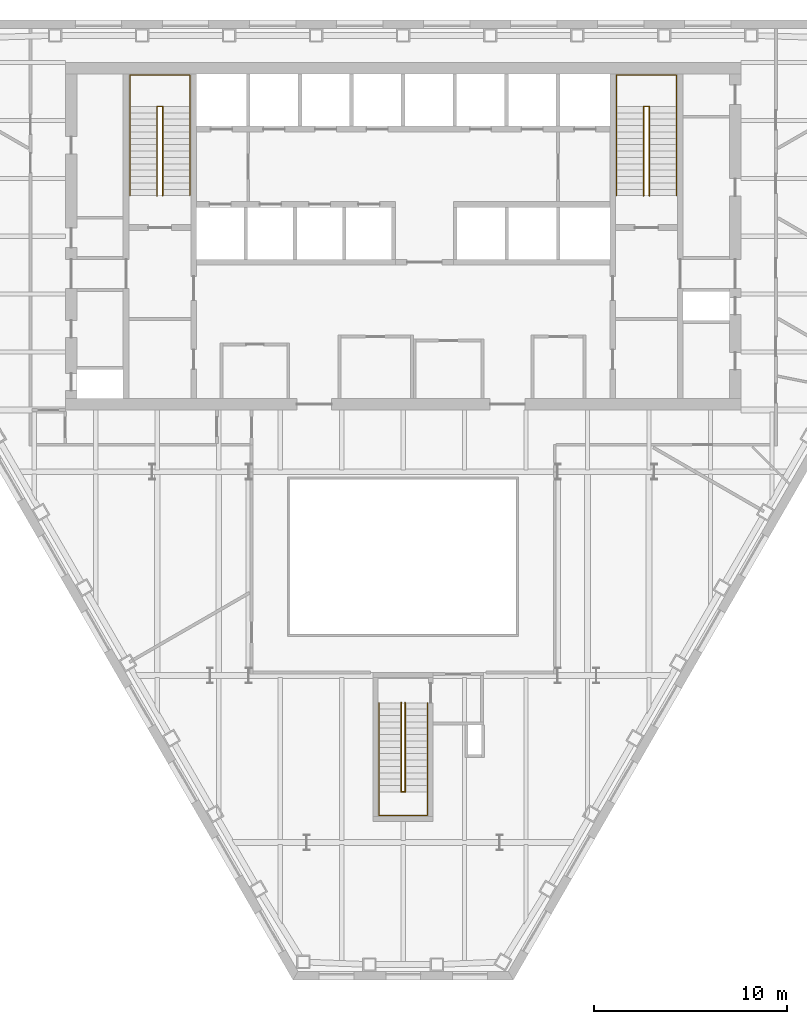
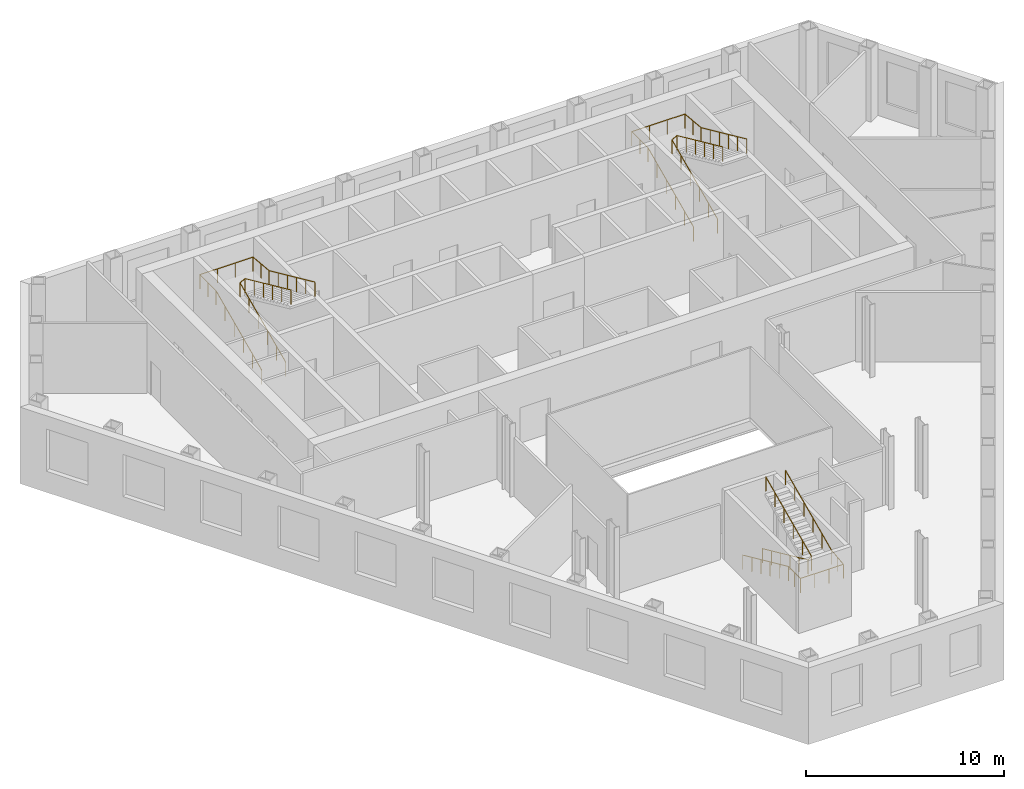
# One storey, part 10 of 10: 6 railings.
"""IFC4 building model written with IfcOpenShell, lengths in metres."""

from ifc_helpers import new_model, si_unit, direction, frame, origin, origin_2d, place, context, subcontext, project, spatial, circle, extrude, material, type_object, element, save


model = new_model("IFC4")

# Units and contexts
model_context = context("Model", 3, precision=1e-05, world=origin(), true_north=direction((0.0, 1.0)))
body_context = subcontext(model_context, "Body", "Model", "MODEL_VIEW")
ifc_project = project(units=[si_unit("LENGTHUNIT", "METRE"), si_unit("AREAUNIT", "SQUARE_METRE"), si_unit("VOLUMEUNIT", "CUBIC_METRE"), si_unit("PLANEANGLEUNIT", "RADIAN"), si_unit("MASSUNIT", "GRAM", prefix="KILO")], contexts=[model_context])

# Site, building, storey
site_placement = place(None, origin())
site = spatial("IfcSite", under=ifc_project, at=site_placement, CompositionType="ELEMENT")
building_placement = place(site_placement, origin())
building = spatial("IfcBuilding", under=site, at=building_placement, Name="Njiva Tower", CompositionType="ELEMENT")
storey_placement = place(building_placement, frame((0.0, 0.0, 55.8)))
storey = spatial("IfcBuildingStorey", under=building, at=storey_placement, Name="L11", CompositionType="ELEMENT", Elevation=55.8)

# Railings
ifc_material = material(Name="Stainless steel", Category="steel")
railing_type = type_object("IfcRailingType", Name="RL1 Stair handrail 900", PredefinedType="HANDRAIL", material=ifc_material)
railing_1_placement = place(storey_placement, frame((-14.15, 11.1, 0.15)))
element("IfcRailing", 1, at=railing_1_placement, inside=storey, type_object=railing_type, Name="Stair A handrail", PredefinedType="HANDRAIL", context=body_context, shape_type="SweptSolid", body=[
    extrude(circle(Radius=0.024, at=origin_2d()), frame((0.0, 0.0, 0.876), z_axis=(0.0, 0.910366477463, 0.413802944301), x_axis=(-1.0, 0.0, 0.0)), (0.0, 0.0, 1.0), 5.0749),
    extrude(circle(Radius=0.024, at=origin_2d()), frame((0.0, 4.62, 2.976), z_axis=(0.0, 1.0, 0.0), x_axis=(-1.0, 0.0, 0.0)), (0.0, 0.0, 1.0), 1.63),
    extrude(circle(Radius=0.024, at=origin_2d()), frame((0.0, 6.25, 2.976), z_axis=(1.0, 0.0, 0.0), x_axis=(0.0, 1.0, 0.0)), (0.0, 0.0, 1.0), 3.1),
    extrude(circle(Radius=0.024, at=origin_2d()), frame((3.1, 6.25, 2.976), z_axis=(0.0, -0.995792447047, 0.091637341753), x_axis=(1.0, 0.0, 0.0)), (0.0, 0.0, 1.0), 1.6369),
    extrude(circle(Radius=0.024, at=origin_2d()), frame((3.1, 4.62, 3.126), z_axis=(0.0, -0.910366477463, 0.413802944301), x_axis=(1.0, 0.0, 0.0)), (0.0, 0.0, 1.0), 5.0749),
    extrude(circle(Radius=0.021, at=origin_2d()), origin(), (0.0, 0.0, 1.0), 0.852),
    extrude(circle(Radius=0.021, at=origin_2d()), frame((0.0, 0.924, 0.42)), (0.0, 0.0, 1.0), 0.852),
    extrude(circle(Radius=0.021, at=origin_2d()), frame((0.0, 1.848, 0.84)), (0.0, 0.0, 1.0), 0.852),
    extrude(circle(Radius=0.021, at=origin_2d()), frame((0.0, 2.772, 1.26)), (0.0, 0.0, 1.0), 0.852),
    extrude(circle(Radius=0.021, at=origin_2d()), frame((0.0, 3.696, 1.68)), (0.0, 0.0, 1.0), 0.852),
    extrude(circle(Radius=0.021, at=origin_2d()), frame((0.0, 4.62, 2.1)), (0.0, 0.0, 1.0), 0.852),
    extrude(circle(Radius=0.021, at=origin_2d()), frame((0.0, 5.435, 2.1)), (0.0, 0.0, 1.0), 0.852),
    extrude(circle(Radius=0.021, at=origin_2d()), frame((0.0, 6.25, 2.1)), (0.0, 0.0, 1.0), 0.852),
    extrude(circle(Radius=0.021, at=origin_2d()), frame((1.0333, 6.25, 2.1)), (0.0, 0.0, 1.0), 0.852),
    extrude(circle(Radius=0.021, at=origin_2d()), frame((2.0667, 6.25, 2.1)), (0.0, 0.0, 1.0), 0.852),
    extrude(circle(Radius=0.021, at=origin_2d()), frame((3.1, 6.25, 2.1)), (0.0, 0.0, 1.0), 0.852),
    extrude(circle(Radius=0.021, at=origin_2d()), frame((3.1, 5.435, 2.175)), (0.0, 0.0, 1.0), 0.852),
    extrude(circle(Radius=0.021, at=origin_2d()), frame((3.1, 4.62, 2.25)), (0.0, 0.0, 1.0), 0.852),
    extrude(circle(Radius=0.021, at=origin_2d()), frame((3.1, 3.696, 2.67)), (0.0, 0.0, 1.0), 0.852),
    extrude(circle(Radius=0.021, at=origin_2d()), frame((3.1, 2.772, 3.09)), (0.0, 0.0, 1.0), 0.852),
    extrude(circle(Radius=0.021, at=origin_2d()), frame((3.1, 1.848, 3.51)), (0.0, 0.0, 1.0), 0.852),
    extrude(circle(Radius=0.021, at=origin_2d()), frame((3.1, 0.924, 3.93)), (0.0, 0.0, 1.0), 0.852),
    extrude(circle(Radius=0.021, at=origin_2d()), frame((3.1, 0.0, 4.35)), (0.0, 0.0, 1.0), 0.852),
])
railing_2_placement = place(storey_placement, frame((-12.75, 11.1, 0.15)))
element("IfcRailing", 2, at=railing_2_placement, inside=storey, type_object=railing_type, Name="Stair A handrail", PredefinedType="HANDRAIL", context=body_context, shape_type="SweptSolid", body=[
    extrude(circle(Radius=0.024, at=origin_2d()), frame((0.0, 0.0, 0.876), z_axis=(0.0, 0.910366477463, 0.413802944301), x_axis=(-1.0, 0.0, 0.0)), (0.0, 0.0, 1.0), 5.0749),
    extrude(circle(Radius=0.024, at=origin_2d()), frame((0.0, 4.62, 2.976), z_axis=(0.894427191, 0.0, 0.4472135955), x_axis=(0.0, 1.0, 0.0)), (0.0, 0.0, 1.0), 0.3354),
    extrude(circle(Radius=0.024, at=origin_2d()), frame((0.3, 4.62, 3.126), z_axis=(0.0, -0.910366477463, 0.413802944301), x_axis=(1.0, 0.0, 0.0)), (0.0, 0.0, 1.0), 5.0749),
    extrude(circle(Radius=0.021, at=origin_2d()), origin(), (0.0, 0.0, 1.0), 0.852),
    extrude(circle(Radius=0.021, at=origin_2d()), frame((0.0, 0.924, 0.42)), (0.0, 0.0, 1.0), 0.852),
    extrude(circle(Radius=0.021, at=origin_2d()), frame((0.0, 1.848, 0.84)), (0.0, 0.0, 1.0), 0.852),
    extrude(circle(Radius=0.021, at=origin_2d()), frame((0.0, 2.772, 1.26)), (0.0, 0.0, 1.0), 0.852),
    extrude(circle(Radius=0.021, at=origin_2d()), frame((0.0, 3.696, 1.68)), (0.0, 0.0, 1.0), 0.852),
    extrude(circle(Radius=0.021, at=origin_2d()), frame((0.0, 4.62, 2.1)), (0.0, 0.0, 1.0), 0.852),
    extrude(circle(Radius=0.021, at=origin_2d()), frame((0.3, 4.62, 2.25)), (0.0, 0.0, 1.0), 0.852),
    extrude(circle(Radius=0.021, at=origin_2d()), frame((0.3, 3.696, 2.67)), (0.0, 0.0, 1.0), 0.852),
    extrude(circle(Radius=0.021, at=origin_2d()), frame((0.3, 2.772, 3.09)), (0.0, 0.0, 1.0), 0.852),
    extrude(circle(Radius=0.021, at=origin_2d()), frame((0.3, 1.848, 3.51)), (0.0, 0.0, 1.0), 0.852),
    extrude(circle(Radius=0.021, at=origin_2d()), frame((0.3, 0.924, 3.93)), (0.0, 0.0, 1.0), 0.852),
    extrude(circle(Radius=0.021, at=origin_2d()), frame((0.3, 0.0, 4.35)), (0.0, 0.0, 1.0), 0.852),
])
railing_3_placement = place(storey_placement, frame((11.05, 11.1, 0.15)))
element("IfcRailing", 3, at=railing_3_placement, inside=storey, type_object=railing_type, Name="Stair B handrail", PredefinedType="HANDRAIL", context=body_context, shape_type="SweptSolid", body=[
    extrude(circle(Radius=0.024, at=origin_2d()), frame((0.0, 0.0, 0.876), z_axis=(0.0, 0.910366477463, 0.413802944301), x_axis=(-1.0, 0.0, 0.0)), (0.0, 0.0, 1.0), 5.0749),
    extrude(circle(Radius=0.024, at=origin_2d()), frame((0.0, 4.62, 2.976), z_axis=(0.0, 1.0, 0.0), x_axis=(-1.0, 0.0, 0.0)), (0.0, 0.0, 1.0), 1.63),
    extrude(circle(Radius=0.024, at=origin_2d()), frame((0.0, 6.25, 2.976), z_axis=(1.0, 0.0, 0.0), x_axis=(0.0, 1.0, 0.0)), (0.0, 0.0, 1.0), 3.1),
    extrude(circle(Radius=0.024, at=origin_2d()), frame((3.1, 6.25, 2.976), z_axis=(0.0, -0.995792447047, 0.091637341753), x_axis=(1.0, 0.0, 0.0)), (0.0, 0.0, 1.0), 1.6369),
    extrude(circle(Radius=0.024, at=origin_2d()), frame((3.1, 4.62, 3.126), z_axis=(0.0, -0.910366477463, 0.413802944301), x_axis=(1.0, 0.0, 0.0)), (0.0, 0.0, 1.0), 5.0749),
    extrude(circle(Radius=0.021, at=origin_2d()), origin(), (0.0, 0.0, 1.0), 0.852),
    extrude(circle(Radius=0.021, at=origin_2d()), frame((0.0, 0.924, 0.42)), (0.0, 0.0, 1.0), 0.852),
    extrude(circle(Radius=0.021, at=origin_2d()), frame((0.0, 1.848, 0.84)), (0.0, 0.0, 1.0), 0.852),
    extrude(circle(Radius=0.021, at=origin_2d()), frame((0.0, 2.772, 1.26)), (0.0, 0.0, 1.0), 0.852),
    extrude(circle(Radius=0.021, at=origin_2d()), frame((0.0, 3.696, 1.68)), (0.0, 0.0, 1.0), 0.852),
    extrude(circle(Radius=0.021, at=origin_2d()), frame((0.0, 4.62, 2.1)), (0.0, 0.0, 1.0), 0.852),
    extrude(circle(Radius=0.021, at=origin_2d()), frame((0.0, 5.435, 2.1)), (0.0, 0.0, 1.0), 0.852),
    extrude(circle(Radius=0.021, at=origin_2d()), frame((0.0, 6.25, 2.1)), (0.0, 0.0, 1.0), 0.852),
    extrude(circle(Radius=0.021, at=origin_2d()), frame((1.0333, 6.25, 2.1)), (0.0, 0.0, 1.0), 0.852),
    extrude(circle(Radius=0.021, at=origin_2d()), frame((2.0667, 6.25, 2.1)), (0.0, 0.0, 1.0), 0.852),
    extrude(circle(Radius=0.021, at=origin_2d()), frame((3.1, 6.25, 2.1)), (0.0, 0.0, 1.0), 0.852),
    extrude(circle(Radius=0.021, at=origin_2d()), frame((3.1, 5.435, 2.175)), (0.0, 0.0, 1.0), 0.852),
    extrude(circle(Radius=0.021, at=origin_2d()), frame((3.1, 4.62, 2.25)), (0.0, 0.0, 1.0), 0.852),
    extrude(circle(Radius=0.021, at=origin_2d()), frame((3.1, 3.696, 2.67)), (0.0, 0.0, 1.0), 0.852),
    extrude(circle(Radius=0.021, at=origin_2d()), frame((3.1, 2.772, 3.09)), (0.0, 0.0, 1.0), 0.852),
    extrude(circle(Radius=0.021, at=origin_2d()), frame((3.1, 1.848, 3.51)), (0.0, 0.0, 1.0), 0.852),
    extrude(circle(Radius=0.021, at=origin_2d()), frame((3.1, 0.924, 3.93)), (0.0, 0.0, 1.0), 0.852),
    extrude(circle(Radius=0.021, at=origin_2d()), frame((3.1, 0.0, 4.35)), (0.0, 0.0, 1.0), 0.852),
])
railing_4_placement = place(storey_placement, frame((12.45, 11.1, 0.15)))
element("IfcRailing", 4, at=railing_4_placement, inside=storey, type_object=railing_type, Name="Stair B handrail", PredefinedType="HANDRAIL", context=body_context, shape_type="SweptSolid", body=[
    extrude(circle(Radius=0.024, at=origin_2d()), frame((0.0, 0.0, 0.876), z_axis=(0.0, 0.910366477463, 0.413802944301), x_axis=(-1.0, 0.0, 0.0)), (0.0, 0.0, 1.0), 5.0749),
    extrude(circle(Radius=0.024, at=origin_2d()), frame((0.0, 4.62, 2.976), z_axis=(0.894427191, 0.0, 0.4472135955), x_axis=(0.0, 1.0, 0.0)), (0.0, 0.0, 1.0), 0.3354),
    extrude(circle(Radius=0.024, at=origin_2d()), frame((0.3, 4.62, 3.126), z_axis=(0.0, -0.910366477463, 0.413802944301), x_axis=(1.0, 0.0, 0.0)), (0.0, 0.0, 1.0), 5.0749),
    extrude(circle(Radius=0.021, at=origin_2d()), origin(), (0.0, 0.0, 1.0), 0.852),
    extrude(circle(Radius=0.021, at=origin_2d()), frame((0.0, 0.924, 0.42)), (0.0, 0.0, 1.0), 0.852),
    extrude(circle(Radius=0.021, at=origin_2d()), frame((0.0, 1.848, 0.84)), (0.0, 0.0, 1.0), 0.852),
    extrude(circle(Radius=0.021, at=origin_2d()), frame((0.0, 2.772, 1.26)), (0.0, 0.0, 1.0), 0.852),
    extrude(circle(Radius=0.021, at=origin_2d()), frame((0.0, 3.696, 1.68)), (0.0, 0.0, 1.0), 0.852),
    extrude(circle(Radius=0.021, at=origin_2d()), frame((0.0, 4.62, 2.1)), (0.0, 0.0, 1.0), 0.852),
    extrude(circle(Radius=0.021, at=origin_2d()), frame((0.3, 4.62, 2.25)), (0.0, 0.0, 1.0), 0.852),
    extrude(circle(Radius=0.021, at=origin_2d()), frame((0.3, 3.696, 2.67)), (0.0, 0.0, 1.0), 0.852),
    extrude(circle(Radius=0.021, at=origin_2d()), frame((0.3, 2.772, 3.09)), (0.0, 0.0, 1.0), 0.852),
    extrude(circle(Radius=0.021, at=origin_2d()), frame((0.3, 1.848, 3.51)), (0.0, 0.0, 1.0), 0.852),
    extrude(circle(Radius=0.021, at=origin_2d()), frame((0.3, 0.924, 3.93)), (0.0, 0.0, 1.0), 0.852),
    extrude(circle(Radius=0.021, at=origin_2d()), frame((0.3, 0.0, 4.35)), (0.0, 0.0, 1.0), 0.852),
])
railing_5_placement = place(storey_placement, frame((-1.25, -15.16, 0.15)))
element("IfcRailing", 5, at=railing_5_placement, inside=storey, type_object=railing_type, Name="Stair C handrail", PredefinedType="HANDRAIL", context=body_context, shape_type="SweptSolid", body=[
    extrude(circle(Radius=0.024, at=origin_2d()), frame((0.0, 0.0, 0.876), z_axis=(0.0, -0.910366477463, 0.413802944301), x_axis=(1.0, 0.0, 0.0)), (0.0, 0.0, 1.0), 5.0749),
    extrude(circle(Radius=0.024, at=origin_2d()), frame((0.0, -4.62, 2.976), z_axis=(0.0, -1.0, 0.0), x_axis=(1.0, 0.0, 0.0)), (0.0, 0.0, 1.0), 1.22),
    extrude(circle(Radius=0.024, at=origin_2d()), frame((0.0, -5.84, 2.976), z_axis=(1.0, 0.0, 0.0), x_axis=(0.0, 1.0, 0.0)), (0.0, 0.0, 1.0), 2.5),
    extrude(circle(Radius=0.024, at=origin_2d()), frame((2.5, -5.84, 2.976), z_axis=(0.0, 0.992526177815, 0.122031907108), x_axis=(-1.0, 0.0, 0.0)), (0.0, 0.0, 1.0), 1.2292),
    extrude(circle(Radius=0.024, at=origin_2d()), frame((2.5, -4.62, 3.126), z_axis=(0.0, 0.910366477463, 0.413802944301), x_axis=(-1.0, 0.0, 0.0)), (0.0, 0.0, 1.0), 5.0749),
    extrude(circle(Radius=0.021, at=origin_2d()), origin(), (0.0, 0.0, 1.0), 0.852),
    extrude(circle(Radius=0.021, at=origin_2d()), frame((0.0, -0.924, 0.42)), (0.0, 0.0, 1.0), 0.852),
    extrude(circle(Radius=0.021, at=origin_2d()), frame((0.0, -1.848, 0.84)), (0.0, 0.0, 1.0), 0.852),
    extrude(circle(Radius=0.021, at=origin_2d()), frame((0.0, -2.772, 1.26)), (0.0, 0.0, 1.0), 0.852),
    extrude(circle(Radius=0.021, at=origin_2d()), frame((0.0, -3.696, 1.68)), (0.0, 0.0, 1.0), 0.852),
    extrude(circle(Radius=0.021, at=origin_2d()), frame((0.0, -4.62, 2.1)), (0.0, 0.0, 1.0), 0.852),
    extrude(circle(Radius=0.021, at=origin_2d()), frame((0.0, -5.23, 2.1)), (0.0, 0.0, 1.0), 0.852),
    extrude(circle(Radius=0.021, at=origin_2d()), frame((0.0, -5.84, 2.1)), (0.0, 0.0, 1.0), 0.852),
    extrude(circle(Radius=0.021, at=origin_2d()), frame((0.8333, -5.84, 2.1)), (0.0, 0.0, 1.0), 0.852),
    extrude(circle(Radius=0.021, at=origin_2d()), frame((1.6667, -5.84, 2.1)), (0.0, 0.0, 1.0), 0.852),
    extrude(circle(Radius=0.021, at=origin_2d()), frame((2.5, -5.84, 2.1)), (0.0, 0.0, 1.0), 0.852),
    extrude(circle(Radius=0.021, at=origin_2d()), frame((2.5, -5.23, 2.175)), (0.0, 0.0, 1.0), 0.852),
    extrude(circle(Radius=0.021, at=origin_2d()), frame((2.5, -4.62, 2.25)), (0.0, 0.0, 1.0), 0.852),
    extrude(circle(Radius=0.021, at=origin_2d()), frame((2.5, -3.696, 2.67)), (0.0, 0.0, 1.0), 0.852),
    extrude(circle(Radius=0.021, at=origin_2d()), frame((2.5, -2.772, 3.09)), (0.0, 0.0, 1.0), 0.852),
    extrude(circle(Radius=0.021, at=origin_2d()), frame((2.5, -1.848, 3.51)), (0.0, 0.0, 1.0), 0.852),
    extrude(circle(Radius=0.021, at=origin_2d()), frame((2.5, -0.924, 3.93)), (0.0, 0.0, 1.0), 0.852),
    extrude(circle(Radius=0.021, at=origin_2d()), frame((2.5, 0.0, 4.35)), (0.0, 0.0, 1.0), 0.852),
])
railing_6_placement = place(storey_placement, frame((-0.1, -15.16, 0.15)))
element("IfcRailing", 6, at=railing_6_placement, inside=storey, type_object=railing_type, Name="Stair C handrail", PredefinedType="HANDRAIL", context=body_context, shape_type="SweptSolid", body=[
    extrude(circle(Radius=0.024, at=origin_2d()), frame((0.0, 0.0, 0.876), z_axis=(0.0, -0.910366477463, 0.413802944301), x_axis=(1.0, 0.0, 0.0)), (0.0, 0.0, 1.0), 5.0749),
    extrude(circle(Radius=0.024, at=origin_2d()), frame((0.0, -4.62, 2.976), z_axis=(0.8, 0.0, 0.6), x_axis=(0.0, 1.0, 0.0)), (0.0, 0.0, 1.0), 0.25),
    extrude(circle(Radius=0.024, at=origin_2d()), frame((0.2, -4.62, 3.126), z_axis=(0.0, 0.910366477463, 0.413802944301), x_axis=(-1.0, 0.0, 0.0)), (0.0, 0.0, 1.0), 5.0749),
    extrude(circle(Radius=0.021, at=origin_2d()), origin(), (0.0, 0.0, 1.0), 0.852),
    extrude(circle(Radius=0.021, at=origin_2d()), frame((0.0, -0.924, 0.42)), (0.0, 0.0, 1.0), 0.852),
    extrude(circle(Radius=0.021, at=origin_2d()), frame((0.0, -1.848, 0.84)), (0.0, 0.0, 1.0), 0.852),
    extrude(circle(Radius=0.021, at=origin_2d()), frame((0.0, -2.772, 1.26)), (0.0, 0.0, 1.0), 0.852),
    extrude(circle(Radius=0.021, at=origin_2d()), frame((0.0, -3.696, 1.68)), (0.0, 0.0, 1.0), 0.852),
    extrude(circle(Radius=0.021, at=origin_2d()), frame((0.0, -4.62, 2.1)), (0.0, 0.0, 1.0), 0.852),
    extrude(circle(Radius=0.021, at=origin_2d()), frame((0.2, -4.62, 2.25)), (0.0, 0.0, 1.0), 0.852),
    extrude(circle(Radius=0.021, at=origin_2d()), frame((0.2, -3.696, 2.67)), (0.0, 0.0, 1.0), 0.852),
    extrude(circle(Radius=0.021, at=origin_2d()), frame((0.2, -2.772, 3.09)), (0.0, 0.0, 1.0), 0.852),
    extrude(circle(Radius=0.021, at=origin_2d()), frame((0.2, -1.848, 3.51)), (0.0, 0.0, 1.0), 0.852),
    extrude(circle(Radius=0.021, at=origin_2d()), frame((0.2, -0.924, 3.93)), (0.0, 0.0, 1.0), 0.852),
    extrude(circle(Radius=0.021, at=origin_2d()), frame((0.2, 0.0, 4.35)), (0.0, 0.0, 1.0), 0.852),
])

save(model, "model.ifc")
